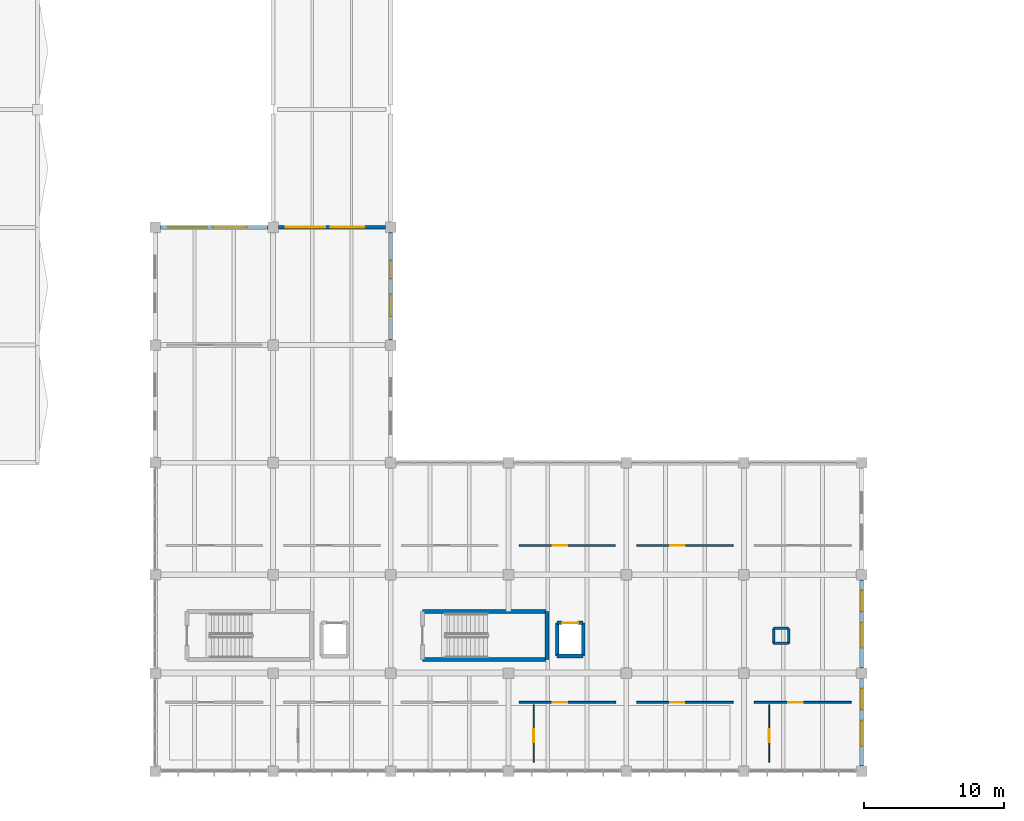
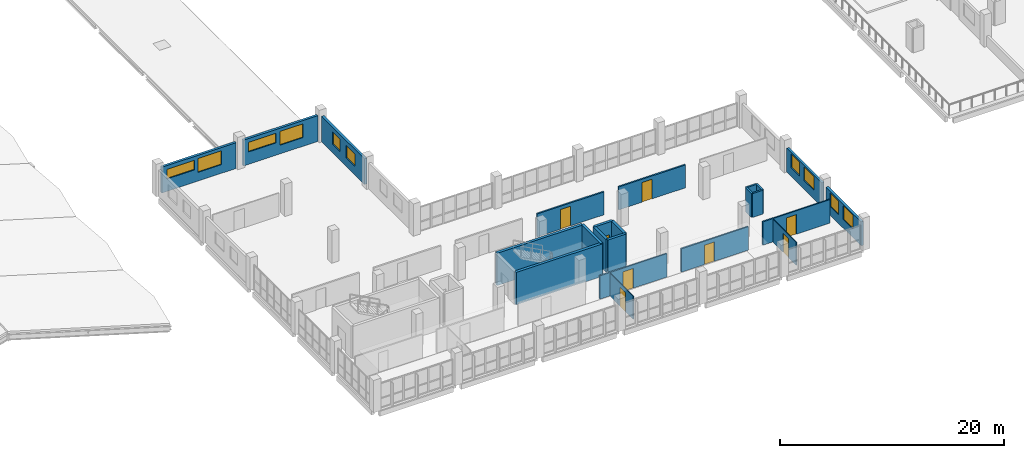
# One storey, part 80 of 95: 23 walls, 10 windows, 8 doors, 18 openings.
"""IFC4 building model written with IfcOpenShell, lengths in metres."""

from ifc_helpers import new_model, si_unit, direction, frame, frame_2d, origin, place, context, subcontext, project, spatial, rectangle, extrude, material, layer, layer_set, type_object, element, fill, save


model = new_model("IFC4")

# Units and contexts
model_context = context("Model", 3, precision=1e-05, world=origin(), true_north=direction((0.0, 1.0)))
body_context = subcontext(model_context, "Body", "Model", "MODEL_VIEW")
ifc_project = project(units=[si_unit("LENGTHUNIT", "METRE"), si_unit("AREAUNIT", "SQUARE_METRE"), si_unit("VOLUMEUNIT", "CUBIC_METRE"), si_unit("PLANEANGLEUNIT", "RADIAN"), si_unit("MASSUNIT", "GRAM", prefix="KILO"), si_unit("THERMODYNAMICTEMPERATUREUNIT", "KELVIN"), si_unit("POWERUNIT", "WATT")], contexts=[model_context])

# Site, building, storey
site_placement = place(None, origin())
site = spatial("IfcSite", under=ifc_project, at=site_placement, CompositionType="ELEMENT")
building_placement = place(site_placement, origin())
building = spatial("IfcBuilding", under=site, at=building_placement, Name="Mavoryth Pier Ferry Terminal", CompositionType="ELEMENT")
storey_placement = place(building_placement, frame((0.0, 0.0, 9.60009765625)))
storey = spatial("IfcBuildingStorey", under=building, at=storey_placement, Name="L02", CompositionType="ELEMENT", Elevation=9.60009765625)

# Walls
ifc_material_1 = material(Name="Concrete C35/45", Category="concrete")
ifc_layer_1 = layer(ifc_material_1, 0.260009765625, Name="Concrete C35/45", Category="concrete")
ifc_layer_set_1 = layer_set([ifc_layer_1], Name="Concrete C35/45 - CoreWall-LiftShaft-RC260")
wall_type_1 = type_object("IfcWallType", Name="CoreWall-LiftShaft-RC260", PredefinedType="SHEAR", material=ifc_layer_set_1)
wall_1_placement = place(storey_placement, frame((70.669921875, 8.219970703125, 0.0), z_axis=(0.0, 0.0, 1.0), x_axis=(1.0, 0.0, 0.0)))
element("IfcWall", 1, at=wall_1_placement, inside=storey, type_object=wall_type_1, Name="Interior Wall IW-L02-0273", PredefinedType="SHEAR", context=body_context, shape_type="SweptSolid", body=[
    extrude(rectangle(XDim=1.860107421875, YDim=0.260009765625, at=frame_2d((0.93017578125, 0.0))), origin(), (0.0, 0.0, 1.0), 3.52001953125),
])
for number, where, z_axis, x_axis, name in (
    (2, (72.530029296875, 8.219970703125, 0.0), (0.0, 0.0, 1.0), (0.0, 1.0, 0.0), "Interior Wall IW-L02-0274"),
    (3, (70.669921875, 10.580078125, 0.0), (0.0, 0.0, 1.0), (0.0, -1.0, 0.0), "Interior Wall IW-L02-0275"),
):
    element("IfcWall", number, at=place(storey_placement, frame(where, z_axis=z_axis, x_axis=x_axis)), inside=storey, type_object=wall_type_1, Name=name, PredefinedType="SHEAR", context=body_context, shape_type="SweptSolid", body=[
        extrude(rectangle(XDim=2.360107421875, YDim=0.260009765625, at=frame_2d((1.18017578125, 0.0))), origin(), (0.0, 0.0, 1.0), 3.52001953125),
    ])

# Wall, opening, door
wall_2_placement = place(storey_placement, frame((70.669921875, 10.580078125, 0.0), z_axis=(0.0, 0.0, 1.0), x_axis=(1.0, 0.0, 0.0)))
wall_2 = element("IfcWall", 4, at=wall_2_placement, inside=storey, type_object=wall_type_1, Name="Interior Wall IW-L02-0276", PredefinedType="SHEAR", context=body_context, shape_type="SweptSolid", body=[
    extrude(rectangle(XDim=1.860107421875, YDim=0.260009765625, at=frame_2d((0.93017578125, 0.0))), origin(), (0.0, 0.0, 1.0), 3.52001953125),
])
opening_1_placement = place(wall_2_placement, frame((0.360107421875, 0.0, 0.0)))
opening_1 = element("IfcOpeningElement", 5, at=opening_1_placement, cuts=wall_2, Name="Opening LD02", PredefinedType="OPENING", context=body_context, shape_type="SweptSolid", body=[
    extrude(rectangle(XDim=1.139892578125, YDim=2.139892578125, at=frame_2d((0.56982421875, 1.06982421875))), frame((0.0, 0.139892578125, 0.0), z_axis=(0.0, -1.0, 0.0), x_axis=(1.0, 0.0, 0.0)), (0.0, 0.0, 1.0), 0.280029296875),
])
ifc_material_2 = material(Name="Brushed Stainless Steel Lift Landing Door", Category="steel")
door_type_1 = type_object("IfcDoorType", Name="Door-LiftLanding-1140x2140", OperationType="NOTDEFINED", PredefinedType="DOOR", material=ifc_material_2)
door_1_placement = place(opening_1_placement, origin())
door_1 = element("IfcDoor", 6, at=door_1_placement, inside=storey, type_object=door_type_1, Name="Lift LF10 Landing Door L02", OperationType="DOUBLE_DOOR_SLIDING", OverallHeight=2.139892578125, OverallWidth=1.139892578125, PredefinedType="DOOR", context=body_context, shape_type="SweptSolid", body=[
    extrude(rectangle(XDim=1.139892578125, YDim=2.139892578125, at=frame_2d((0.56982421875, 1.06982421875))), frame((0.0, 0.02490234375, 0.0), z_axis=(0.0, -1.0, 0.0), x_axis=(1.0, 0.0, 0.0)), (0.0, 0.0, 1.0), 0.050048828125),
])
fill(opening_1, door_1)

# Walls
ifc_material_3 = material(Name="Concrete C40/50", Category="concrete")
ifc_layer_2 = layer(ifc_material_3, 0.280029296875, Name="Concrete C40/50", Category="concrete")
ifc_layer_set_2 = layer_set([ifc_layer_2], Name="Concrete C40/50 - CoreWall-Shear-RC280")
wall_type_2 = type_object("IfcWallType", Name="CoreWall-Shear-RC280", PredefinedType="SHEAR", material=ifc_layer_set_2)
for number, where, z_axis, x_axis, name in (
    (7, (61.06005859375, 7.9599609375, 0.0), (0.0, 0.0, 1.0), (1.0, 0.0, 0.0), "Interior Wall IW-L02-0253"),
    (8, (61.06005859375, 11.389892578125, 0.0), (0.0, 0.0, 1.0), (1.0, 0.0, 0.0), "Interior Wall IW-L02-0254"),
):
    element("IfcWall", number, at=place(storey_placement, frame(where, z_axis=z_axis, x_axis=x_axis)), inside=storey, type_object=wall_type_2, Name=name, PredefinedType="SHEAR", context=body_context, shape_type="SweptSolid", body=[
        extrude(rectangle(XDim=8.8798828125, YDim=0.280029296875, at=frame_2d((4.43994140625, 0.0))), origin(), (0.0, 0.0, 1.0), 3.52001953125),
    ])
wall_3_placement = place(storey_placement, frame((69.93994140625, 7.9599609375, 0.0), z_axis=(0.0, 0.0, 1.0), x_axis=(0.0, 1.0, 0.0)))
element("IfcWall", 9, at=wall_3_placement, inside=storey, type_object=wall_type_2, Name="Interior Wall IW-L02-0256", PredefinedType="SHEAR", context=body_context, shape_type="SweptSolid", body=[
    extrude(rectangle(XDim=3.429931640625, YDim=0.280029296875, at=frame_2d((1.71484375, 0.0))), origin(), (0.0, 0.0, 1.0), 3.52001953125),
])

# Wall, openings, windows
ifc_material_4 = material(Name="Insulated Pentelic Limestone-Faced Masonry", Category="masonry")
ifc_layer_3 = layer(ifc_material_4, 0.25, Name="Insulated Pentelic Limestone-Faced Masonry", Category="masonry")
ifc_layer_set_3 = layer_set([ifc_layer_3], Name="Insulated Pentelic Limestone-Faced Masonry - ExtWall-Facade-Masonry250")
wall_type_3 = type_object("IfcWallType", Name="ExtWall-Facade-Masonry250", PredefinedType="SOLIDWALL", material=ifc_layer_set_3)
wall_4_placement = place(storey_placement, frame((92.39990234375, 0.375, 0.0), z_axis=(0.0, 0.0, 1.0), x_axis=(0.0, 1.0, 0.0)))
wall_4 = element("IfcWall", 10, at=wall_4_placement, inside=storey, type_object=wall_type_3, Name="Exterior Wall EW-L02-166", PredefinedType="SOLIDWALL", context=body_context, shape_type="SweptSolid", body=[
    extrude(rectangle(XDim=6.25, YDim=0.25, at=frame_2d((3.125, 0.0))), origin(), (0.0, 0.0, 1.0), 2.60498046875),
])
opening_2_placement = place(wall_4_placement, frame((1.4150390625, 0.0, 0.949951171875)))
opening_2 = element("IfcOpeningElement", 11, at=opening_2_placement, cuts=wall_4, Name="Opening WN01", PredefinedType="OPENING", context=body_context, shape_type="SweptSolid", body=[
    extrude(rectangle(XDim=1.800048828125, YDim=1.5, at=frame_2d((0.89990234375, 0.75))), frame((0.0, 0.135009765625, 0.0), z_axis=(0.0, -1.0, 0.0), x_axis=(1.0, 0.0, 0.0)), (0.0, 0.0, 1.0), 0.27001953125),
])
opening_3_placement = place(wall_4_placement, frame((4.014892578125, 0.0, 0.949951171875)))
opening_3 = element("IfcOpeningElement", 12, at=opening_3_placement, cuts=wall_4, Name="Opening WN03", PredefinedType="OPENING", context=body_context, shape_type="SweptSolid", body=[
    extrude(rectangle(XDim=1.5, YDim=1.5, at=frame_2d((0.75, 0.75))), frame((0.0, 0.135009765625, 0.0), z_axis=(0.0, -1.0, 0.0), x_axis=(1.0, 0.0, 0.0)), (0.0, 0.0, 1.0), 0.27001953125),
])
ifc_material_5 = material(Name="Thermally Broken Aluminium and Low-E Double Glazing", Category="aluminium")
window_type_1 = type_object("IfcWindowType", Name="Win-Ops-1500x1500", PartitioningType="SINGLE_PANEL", PredefinedType="WINDOW", material=ifc_material_5)
window_1_placement = place(opening_3_placement, origin())
window_1 = element("IfcWindow", 13, at=window_1_placement, inside=storey, type_object=window_type_1, Name="Exterior Window 94", OverallHeight=1.5, OverallWidth=1.5, PartitioningType="SINGLE_PANEL", PredefinedType="WINDOW", context=body_context, shape_type="SweptSolid", body=[
    extrude(rectangle(XDim=1.5, YDim=1.5, at=frame_2d((0.75, 0.75))), frame((0.0, 0.030029296875, 0.0), z_axis=(0.0, -1.0, 0.0), x_axis=(1.0, 0.0, 0.0)), (0.0, 0.0, 1.0), 0.06005859375),
])
fill(opening_3, window_1)
window_type_2 = type_object("IfcWindowType", Name="Win-Ops-1800x1500", PartitioningType="DOUBLE_PANEL_VERTICAL", PredefinedType="WINDOW", material=ifc_material_5)
window_2_placement = place(opening_2_placement, origin())
window_2 = element("IfcWindow", 14, at=window_2_placement, inside=storey, type_object=window_type_2, Name="Exterior Window 93", OverallHeight=1.5, OverallWidth=1.800048828125, PartitioningType="DOUBLE_PANEL_VERTICAL", PredefinedType="WINDOW", context=body_context, shape_type="SweptSolid", body=[
    extrude(rectangle(XDim=1.800048828125, YDim=1.5, at=frame_2d((0.89990234375, 0.75))), frame((0.0, 0.030029296875, 0.0), z_axis=(0.0, -1.0, 0.0), x_axis=(1.0, 0.0, 0.0)), (0.0, 0.0, 1.0), 0.06005859375),
])
fill(opening_2, window_2)

wall_5_placement = place(storey_placement, frame((92.39990234375, 7.375, 0.0), z_axis=(0.0, 0.0, 1.0), x_axis=(0.0, 1.0, 0.0)))
wall_5 = element("IfcWall", 15, at=wall_5_placement, inside=storey, type_object=wall_type_3, Name="Exterior Wall EW-L02-167", PredefinedType="SOLIDWALL", context=body_context, shape_type="SweptSolid", body=[
    extrude(rectangle(XDim=6.25, YDim=0.25, at=frame_2d((3.125, 0.0))), origin(), (0.0, 0.0, 1.0), 2.60498046875),
])
opening_4_placement = place(wall_5_placement, frame((1.4150390625, 0.0, 0.949951171875)))
opening_4 = element("IfcOpeningElement", 16, at=opening_4_placement, cuts=wall_5, Name="Opening WN01", PredefinedType="OPENING", context=body_context, shape_type="SweptSolid", body=[
    extrude(rectangle(XDim=1.800048828125, YDim=1.5, at=frame_2d((0.89990234375, 0.75))), frame((0.0, 0.135009765625, 0.0), z_axis=(0.0, -1.0, 0.0), x_axis=(1.0, 0.0, 0.0)), (0.0, 0.0, 1.0), 0.27001953125),
])
opening_5_placement = place(wall_5_placement, frame((4.014892578125, 0.0, 0.949951171875)))
opening_5 = element("IfcOpeningElement", 17, at=opening_5_placement, cuts=wall_5, Name="Opening WN03", PredefinedType="OPENING", context=body_context, shape_type="SweptSolid", body=[
    extrude(rectangle(XDim=1.5, YDim=1.5, at=frame_2d((0.75, 0.75))), frame((0.0, 0.135009765625, 0.0), z_axis=(0.0, -1.0, 0.0), x_axis=(1.0, 0.0, 0.0)), (0.0, 0.0, 1.0), 0.27001953125),
])
window_3_placement = place(opening_5_placement, origin())
window_3 = element("IfcWindow", 18, at=window_3_placement, inside=storey, type_object=window_type_1, Name="Exterior Window 96", OverallHeight=1.5, OverallWidth=1.5, PartitioningType="SINGLE_PANEL", PredefinedType="WINDOW", context=body_context, shape_type="SweptSolid", body=[
    extrude(rectangle(XDim=1.5, YDim=1.5, at=frame_2d((0.75, 0.75))), frame((0.0, 0.030029296875, 0.0), z_axis=(0.0, -1.0, 0.0), x_axis=(1.0, 0.0, 0.0)), (0.0, 0.0, 1.0), 0.06005859375),
])
fill(opening_5, window_3)
window_4_placement = place(opening_4_placement, origin())
window_4 = element("IfcWindow", 19, at=window_4_placement, inside=storey, type_object=window_type_2, Name="Exterior Window 95", OverallHeight=1.5, OverallWidth=1.800048828125, PartitioningType="DOUBLE_PANEL_VERTICAL", PredefinedType="WINDOW", context=body_context, shape_type="SweptSolid", body=[
    extrude(rectangle(XDim=1.800048828125, YDim=1.5, at=frame_2d((0.89990234375, 0.75))), frame((0.0, 0.030029296875, 0.0), z_axis=(0.0, -1.0, 0.0), x_axis=(1.0, 0.0, 0.0)), (0.0, 0.0, 1.0), 0.06005859375),
])
fill(opening_4, window_4)

wall_6_placement = place(storey_placement, frame((58.800048828125, 30.77490234375, 0.0), z_axis=(0.0, 0.0, 1.0), x_axis=(0.0, 1.0, 0.0)))
wall_6 = element("IfcWall", 20, at=wall_6_placement, inside=storey, type_object=wall_type_3, Name="Exterior Wall EW-L02-172", PredefinedType="SOLIDWALL", context=body_context, shape_type="SweptSolid", body=[
    extrude(rectangle(XDim=7.650146484375, YDim=0.25, at=frame_2d((3.8251953125, 0.0))), origin(), (0.0, 0.0, 1.0), 2.804931640625),
])
opening_6_placement = place(wall_6_placement, frame((1.6650390625, 0.0, 0.949951171875)))
opening_6 = element("IfcOpeningElement", 21, at=opening_6_placement, cuts=wall_6, Name="Opening WN05", PredefinedType="OPENING", context=body_context, shape_type="SweptSolid", body=[
    extrude(rectangle(XDim=1.60009765625, YDim=1.35009765625, at=frame_2d((0.800048828125, 0.675048828125))), frame((0.0, 0.135009765625, 0.0), z_axis=(0.0, -1.0, 0.0), x_axis=(1.0, 0.0, 0.0)), (0.0, 0.0, 1.0), 0.27001953125),
])
opening_7_placement = place(wall_6_placement, frame((4.364990234375, 0.0, 0.949951171875)))
opening_7 = element("IfcOpeningElement", 22, at=opening_7_placement, cuts=wall_6, Name="Opening WN06", PredefinedType="OPENING", context=body_context, shape_type="SweptSolid", body=[
    extrude(rectangle(XDim=1.300048828125, YDim=1.35009765625, at=frame_2d((0.64990234375, 0.675048828125))), frame((0.0, 0.135009765625, 0.0), z_axis=(0.0, -1.0, 0.0), x_axis=(1.0, 0.0, 0.0)), (0.0, 0.0, 1.0), 0.27001953125),
])
window_type_3 = type_object("IfcWindowType", Name="Win-Clinic-1300x1350", PartitioningType="SINGLE_PANEL", PredefinedType="WINDOW", material=ifc_material_5)
window_5_placement = place(opening_7_placement, origin())
window_5 = element("IfcWindow", 23, at=window_5_placement, inside=storey, type_object=window_type_3, Name="Exterior Window 106", OverallHeight=1.35009765625, OverallWidth=1.300048828125, PartitioningType="SINGLE_PANEL", PredefinedType="WINDOW", context=body_context, shape_type="SweptSolid", body=[
    extrude(rectangle(XDim=1.300048828125, YDim=1.35009765625, at=frame_2d((0.64990234375, 0.675048828125))), frame((0.0, 0.030029296875, 0.0), z_axis=(0.0, -1.0, 0.0), x_axis=(1.0, 0.0, 0.0)), (0.0, 0.0, 1.0), 0.06005859375),
])
fill(opening_7, window_5)
window_type_4 = type_object("IfcWindowType", Name="Win-Clinic-1600x1350", PartitioningType="DOUBLE_PANEL_VERTICAL", PredefinedType="WINDOW", material=ifc_material_5)
window_6_placement = place(opening_6_placement, origin())
window_6 = element("IfcWindow", 24, at=window_6_placement, inside=storey, type_object=window_type_4, Name="Exterior Window 105", OverallHeight=1.35009765625, OverallWidth=1.60009765625, PartitioningType="DOUBLE_PANEL_VERTICAL", PredefinedType="WINDOW", context=body_context, shape_type="SweptSolid", body=[
    extrude(rectangle(XDim=1.60009765625, YDim=1.35009765625, at=frame_2d((0.800048828125, 0.675048828125))), frame((0.0, 0.030029296875, 0.0), z_axis=(0.0, -1.0, 0.0), x_axis=(1.0, 0.0, 0.0)), (0.0, 0.0, 1.0), 0.06005859375),
])
fill(opening_6, window_6)

wall_7_placement = place(storey_placement, frame((50.02490234375, 38.800048828125, 0.0), z_axis=(0.0, 0.0, 1.0), x_axis=(-1.0, 0.0, 0.0)))
wall_7 = element("IfcWall", 25, at=wall_7_placement, inside=storey, type_object=wall_type_3, Name="Exterior Wall EW-L02-173", PredefinedType="SOLIDWALL", context=body_context, shape_type="SweptSolid", body=[
    extrude(rectangle(XDim=7.64990234375, YDim=0.25, at=frame_2d((3.824951171875, 0.0))), origin(), (0.0, 0.0, 1.0), 2.804931640625),
])
opening_8_placement = place(wall_7_placement, frame((1.514892578125, 0.0, 0.949951171875)))
opening_8 = element("IfcOpeningElement", 26, at=opening_8_placement, cuts=wall_7, Name="Opening WN02", PredefinedType="OPENING", context=body_context, shape_type="SweptSolid", body=[
    extrude(rectangle(XDim=2.39990234375, YDim=1.5, at=frame_2d((1.199951171875, 0.75))), frame((0.0, 0.135009765625, 0.0), z_axis=(0.0, -1.0, 0.0), x_axis=(1.0, 0.0, 0.0)), (0.0, 0.0, 1.0), 0.27001953125),
])
opening_9_placement = place(wall_7_placement, frame((4.31494140625, 0.0, 1.35009765625)))
opening_9 = element("IfcOpeningElement", 27, at=opening_9_placement, cuts=wall_7, Name="Opening WN15", PredefinedType="OPENING", context=body_context, shape_type="SweptSolid", body=[
    extrude(rectangle(XDim=2.800048828125, YDim=1.050048828125, at=frame_2d((1.39990234375, 0.52490234375))), frame((0.0, 0.135009765625, 0.0), z_axis=(0.0, -1.0, 0.0), x_axis=(1.0, 0.0, 0.0)), (0.0, 0.0, 1.0), 0.27001953125),
])
window_type_5 = type_object("IfcWindowType", Name="Win-Clerestory-2800x1050", PartitioningType="TRIPLE_PANEL_VERTICAL", PredefinedType="WINDOW", material=ifc_material_5)
window_7_placement = place(opening_9_placement, origin())
window_7 = element("IfcWindow", 28, at=window_7_placement, inside=storey, type_object=window_type_5, Name="Exterior Window 108", OverallHeight=1.050048828125, OverallWidth=2.800048828125, PartitioningType="TRIPLE_PANEL_VERTICAL", PredefinedType="WINDOW", context=body_context, shape_type="SweptSolid", body=[
    extrude(rectangle(XDim=2.800048828125, YDim=1.050048828125, at=frame_2d((1.39990234375, 0.52490234375))), frame((0.0, 0.030029296875, 0.0), z_axis=(0.0, -1.0, 0.0), x_axis=(1.0, 0.0, 0.0)), (0.0, 0.0, 1.0), 0.06005859375),
])
fill(opening_9, window_7)
window_type_6 = type_object("IfcWindowType", Name="Win-Ops-2400x1500", PartitioningType="TRIPLE_PANEL_VERTICAL", PredefinedType="WINDOW", material=ifc_material_5)
window_8_placement = place(opening_8_placement, origin())
window_8 = element("IfcWindow", 29, at=window_8_placement, inside=storey, type_object=window_type_6, Name="Exterior Window 107", OverallHeight=1.5, OverallWidth=2.39990234375, PartitioningType="TRIPLE_PANEL_VERTICAL", PredefinedType="WINDOW", context=body_context, shape_type="SweptSolid", body=[
    extrude(rectangle(XDim=2.39990234375, YDim=1.5, at=frame_2d((1.199951171875, 0.75))), frame((0.0, 0.030029296875, 0.0), z_axis=(0.0, -1.0, 0.0), x_axis=(1.0, 0.0, 0.0)), (0.0, 0.0, 1.0), 0.06005859375),
])
fill(opening_8, window_8)

wall_8_placement = place(storey_placement, frame((58.425048828125, 38.800048828125, 0.0), z_axis=(0.0, 0.0, 1.0), x_axis=(-1.0, 0.0, 0.0)))
wall_8 = element("IfcWall", 30, at=wall_8_placement, inside=storey, type_object=wall_type_3, Name="Exterior Wall EW-L02-174", PredefinedType="SOLIDWALL", context=body_context, shape_type="SweptSolid", body=[
    extrude(rectangle(XDim=7.650146484375, YDim=0.25, at=frame_2d((3.8251953125, 0.0))), origin(), (0.0, 0.0, 1.0), 2.804931640625),
])
opening_10_placement = place(wall_8_placement, frame((1.514892578125, 0.0, 0.949951171875)))
opening_10 = element("IfcOpeningElement", 31, at=opening_10_placement, cuts=wall_8, Name="Opening WN02", PredefinedType="OPENING", context=body_context, shape_type="SweptSolid", body=[
    extrude(rectangle(XDim=2.39990234375, YDim=1.5, at=frame_2d((1.199951171875, 0.75))), frame((0.0, 0.135009765625, 0.0), z_axis=(0.0, -1.0, 0.0), x_axis=(1.0, 0.0, 0.0)), (0.0, 0.0, 1.0), 0.27001953125),
])
opening_11_placement = place(wall_8_placement, frame((4.31494140625, 0.0, 1.35009765625)))
opening_11 = element("IfcOpeningElement", 32, at=opening_11_placement, cuts=wall_8, Name="Opening WN15", PredefinedType="OPENING", context=body_context, shape_type="SweptSolid", body=[
    extrude(rectangle(XDim=2.800048828125, YDim=1.050048828125, at=frame_2d((1.39990234375, 0.52490234375))), frame((0.0, 0.135009765625, 0.0), z_axis=(0.0, -1.0, 0.0), x_axis=(1.0, 0.0, 0.0)), (0.0, 0.0, 1.0), 0.27001953125),
])
window_9_placement = place(opening_11_placement, origin())
window_9 = element("IfcWindow", 33, at=window_9_placement, inside=storey, type_object=window_type_5, Name="Exterior Window 110", OverallHeight=1.050048828125, OverallWidth=2.800048828125, PartitioningType="TRIPLE_PANEL_VERTICAL", PredefinedType="WINDOW", context=body_context, shape_type="SweptSolid", body=[
    extrude(rectangle(XDim=2.800048828125, YDim=1.050048828125, at=frame_2d((1.39990234375, 0.52490234375))), frame((0.0, 0.030029296875, 0.0), z_axis=(0.0, -1.0, 0.0), x_axis=(1.0, 0.0, 0.0)), (0.0, 0.0, 1.0), 0.06005859375),
])
fill(opening_11, window_9)
window_10_placement = place(opening_10_placement, origin())
window_10 = element("IfcWindow", 34, at=window_10_placement, inside=storey, type_object=window_type_6, Name="Exterior Window 109", OverallHeight=1.5, OverallWidth=2.39990234375, PartitioningType="TRIPLE_PANEL_VERTICAL", PredefinedType="WINDOW", context=body_context, shape_type="SweptSolid", body=[
    extrude(rectangle(XDim=2.39990234375, YDim=1.5, at=frame_2d((1.199951171875, 0.75))), frame((0.0, 0.030029296875, 0.0), z_axis=(0.0, -1.0, 0.0), x_axis=(1.0, 0.0, 0.0)), (0.0, 0.0, 1.0), 0.06005859375),
])
fill(opening_10, window_10)

# Walls
ifc_material_6 = material(Name="Autoclaved Aerated Concrete Blockwork", Category="masonry")
ifc_layer_4 = layer(ifc_material_6, 0.179931640625, Name="Autoclaved Aerated Concrete Blockwork", Category="masonry")
ifc_layer_set_4 = layer_set([ifc_layer_4], Name="Autoclaved Aerated Concrete Blockwork - IntWall-PlantRated-180")
wall_type_4 = type_object("IfcWallType", Name="IntWall-PlantRated-180", PredefinedType="SOLIDWALL", material=ifc_layer_set_4)
for number, where, z_axis, x_axis, name in (
    (35, (86.110107421875, 9.110107421875, 0.0), (0.0, 0.0, 1.0), (1.0, 0.0, 0.0), "Interior Wall IW-L02-0409"),
    (36, (87.18994140625, 9.110107421875, 0.0), (0.0, 0.0, 1.0), (0.0, 1.0, 0.0), "Interior Wall IW-L02-0410"),
    (37, (87.18994140625, 10.18994140625, 0.0), (0.0, 0.0, 1.0), (-1.0, 0.0, 0.0), "Interior Wall IW-L02-0411"),
    (38, (86.110107421875, 10.18994140625, 0.0), (0.0, 0.0, 1.0), (0.0, -1.0, 0.0), "Interior Wall IW-L02-0412"),
):
    element("IfcWall", number, at=place(storey_placement, frame(where, z_axis=z_axis, x_axis=x_axis)), inside=storey, type_object=wall_type_4, Name=name, PredefinedType="SOLIDWALL", context=body_context, shape_type="SweptSolid", body=[
        extrude(rectangle(XDim=1.079833984375, YDim=0.179931640625, at=frame_2d((0.5400390625, 0.0))), origin(), (0.0, 0.0, 1.0), 2.599853515625),
    ])

# Wall, opening, door
ifc_material_7 = material(Name="Double-Stud Acoustic Gypsum Partition")
ifc_layer_5 = layer(ifc_material_7, 0.159912109375, Name="Double-Stud Acoustic Gypsum Partition")
ifc_layer_set_5 = layer_set([ifc_layer_5], Name="Double-Stud Acoustic Gypsum Partition - Part-Acoustic-160")
wall_type_5 = type_object("IfcWallType", Name="Part-Acoustic-160", PredefinedType="PARTITIONING", material=ifc_layer_set_5)
wall_9_placement = place(storey_placement, frame((67.949951171875, 16.10009765625, 0.0), z_axis=(0.0, 0.0, 1.0), x_axis=(1.0, 0.0, 0.0)))
wall_9 = element("IfcWall", 39, at=wall_9_placement, inside=storey, type_object=wall_type_5, Name="Interior Wall IW-L02-0477", PredefinedType="PARTITIONING", context=body_context, shape_type="SweptSolid", body=[
    extrude(rectangle(XDim=6.900146484375, YDim=0.159912109375, at=frame_2d((3.4501953125, 0.0))), origin(), (0.0, 0.0, 1.0), 2.5),
])
opening_12_placement = place(wall_9_placement, frame((2.39990234375, 0.0, 0.0)))
opening_12 = element("IfcOpeningElement", 40, at=opening_12_placement, cuts=wall_9, Name="Opening ID08-146", PredefinedType="OPENING", context=body_context, shape_type="SweptSolid", body=[
    extrude(rectangle(XDim=1.0400390625, YDim=2.139892578125, at=frame_2d((0.52001953125, 1.06982421875))), frame((0.0, 0.08984375, 0.0), z_axis=(0.0, -1.0, 0.0), x_axis=(1.0, 0.0, 0.0)), (0.0, 0.0, 1.0), 0.179931640625),
])
ifc_material_8 = material(Name="Solid-Core Oak Veneer Timber Door", Category="wood")
door_type_2 = type_object("IfcDoorType", Name="Door-RoomSingle-1040x2140", OperationType="NOTDEFINED", PredefinedType="DOOR", material=ifc_material_8)
door_2_placement = place(opening_12_placement, origin())
door_2 = element("IfcDoor", 41, at=door_2_placement, inside=storey, type_object=door_type_2, Name="Interior Door ID08-146", OperationType="SINGLE_SWING_LEFT", OverallHeight=2.139892578125, OverallWidth=1.0400390625, PredefinedType="DOOR", context=body_context, shape_type="SweptSolid", body=[
    extrude(rectangle(XDim=1.0400390625, YDim=2.139892578125, at=frame_2d((0.52001953125, 1.06982421875))), frame((0.0, 0.02490234375, 0.0), z_axis=(0.0, -1.0, 0.0), x_axis=(1.0, 0.0, 0.0)), (0.0, 0.0, 1.0), 0.050048828125),
])
fill(opening_12, door_2)

wall_10_placement = place(storey_placement, frame((76.35009765625, 16.10009765625, 0.0), z_axis=(0.0, 0.0, 1.0), x_axis=(1.0, 0.0, 0.0)))
wall_10 = element("IfcWall", 42, at=wall_10_placement, inside=storey, type_object=wall_type_5, Name="Interior Wall IW-L02-0479", PredefinedType="PARTITIONING", context=body_context, shape_type="SweptSolid", body=[
    extrude(rectangle(XDim=6.89990234375, YDim=0.159912109375, at=frame_2d((3.449951171875, 0.0))), origin(), (0.0, 0.0, 1.0), 2.5),
])
opening_13_placement = place(wall_10_placement, frame((2.39990234375, 0.0, 0.0)))
opening_13 = element("IfcOpeningElement", 43, at=opening_13_placement, cuts=wall_10, Name="Opening ID08-148", PredefinedType="OPENING", context=body_context, shape_type="SweptSolid", body=[
    extrude(rectangle(XDim=1.0400390625, YDim=2.139892578125, at=frame_2d((0.52001953125, 1.06982421875))), frame((0.0, 0.08984375, 0.0), z_axis=(0.0, -1.0, 0.0), x_axis=(1.0, 0.0, 0.0)), (0.0, 0.0, 1.0), 0.179931640625),
])
door_3_placement = place(opening_13_placement, origin())
door_3 = element("IfcDoor", 44, at=door_3_placement, inside=storey, type_object=door_type_2, Name="Interior Door ID08-148", OperationType="SINGLE_SWING_LEFT", OverallHeight=2.139892578125, OverallWidth=1.0400390625, PredefinedType="DOOR", context=body_context, shape_type="SweptSolid", body=[
    extrude(rectangle(XDim=1.0400390625, YDim=2.139892578125, at=frame_2d((0.52001953125, 1.06982421875))), frame((0.0, 0.02490234375, 0.0), z_axis=(0.0, -1.0, 0.0), x_axis=(1.0, 0.0, 0.0)), (0.0, 0.0, 1.0), 0.050048828125),
])
fill(opening_13, door_3)

ifc_material_9 = material(Name="Fire-Rated Gypsum Stud Partition")
ifc_layer_6 = layer(ifc_material_9, 0.139892578125, Name="Fire-Rated Gypsum Stud Partition")
ifc_layer_set_6 = layer_set([ifc_layer_6], Name="Fire-Rated Gypsum Stud Partition - Part-Corridor-140")
wall_type_6 = type_object("IfcWallType", Name="Part-Corridor-140", PredefinedType="PARTITIONING", material=ifc_layer_set_6)
wall_11_placement = place(storey_placement, frame((67.949951171875, 4.89990234375, 0.0), z_axis=(0.0, 0.0, 1.0), x_axis=(1.0, 0.0, 0.0)))
wall_11 = element("IfcWall", 45, at=wall_11_placement, inside=storey, type_object=wall_type_6, Name="Interior Wall IW-L02-0475", PredefinedType="PARTITIONING", context=body_context, shape_type="SweptSolid", body=[
    extrude(rectangle(XDim=6.900146484375, YDim=0.139892578125, at=frame_2d((3.4501953125, 0.0))), origin(), (0.0, 0.0, 1.0), 2.5498046875),
])
opening_14_placement = place(wall_11_placement, frame((2.39990234375, 0.0, 0.0)))
opening_14 = element("IfcOpeningElement", 46, at=opening_14_placement, cuts=wall_11, Name="Opening ID08-144", PredefinedType="OPENING", context=body_context, shape_type="SweptSolid", body=[
    extrude(rectangle(XDim=1.0400390625, YDim=2.139892578125, at=frame_2d((0.52001953125, 1.06982421875))), frame((0.0, 0.079833984375, 0.0), z_axis=(0.0, -1.0, 0.0), x_axis=(1.0, 0.0, 0.0)), (0.0, 0.0, 1.0), 0.159912109375),
])
door_4_placement = place(opening_14_placement, origin())
door_4 = element("IfcDoor", 47, at=door_4_placement, inside=storey, type_object=door_type_2, Name="Interior Door ID08-144", OperationType="SINGLE_SWING_LEFT", OverallHeight=2.139892578125, OverallWidth=1.0400390625, PredefinedType="DOOR", context=body_context, shape_type="SweptSolid", body=[
    extrude(rectangle(XDim=1.0400390625, YDim=2.139892578125, at=frame_2d((0.52001953125, 1.06982421875))), frame((0.0, 0.02490234375, 0.0), z_axis=(0.0, -1.0, 0.0), x_axis=(1.0, 0.0, 0.0)), (0.0, 0.0, 1.0), 0.050048828125),
])
fill(opening_14, door_4)

wall_12_placement = place(storey_placement, frame((76.35009765625, 4.89990234375, 0.0), z_axis=(0.0, 0.0, 1.0), x_axis=(1.0, 0.0, 0.0)))
wall_12 = element("IfcWall", 48, at=wall_12_placement, inside=storey, type_object=wall_type_6, Name="Interior Wall IW-L02-0478", PredefinedType="PARTITIONING", context=body_context, shape_type="SweptSolid", body=[
    extrude(rectangle(XDim=6.89990234375, YDim=0.139892578125, at=frame_2d((3.449951171875, 0.0))), origin(), (0.0, 0.0, 1.0), 2.5498046875),
])
opening_15_placement = place(wall_12_placement, frame((2.39990234375, 0.0, 0.0)))
opening_15 = element("IfcOpeningElement", 49, at=opening_15_placement, cuts=wall_12, Name="Opening ID09-147", PredefinedType="OPENING", context=body_context, shape_type="SweptSolid", body=[
    extrude(rectangle(XDim=0.97998046875, YDim=2.1201171875, at=frame_2d((0.489990234375, 1.06005859375))), frame((0.0, 0.079833984375, 0.0), z_axis=(0.0, -1.0, 0.0), x_axis=(1.0, 0.0, 0.0)), (0.0, 0.0, 1.0), 0.159912109375),
])
door_type_3 = type_object("IfcDoorType", Name="Door-RoomSingle-980x2120", OperationType="NOTDEFINED", PredefinedType="DOOR", material=ifc_material_8)
door_5_placement = place(opening_15_placement, origin())
door_5 = element("IfcDoor", 50, at=door_5_placement, inside=storey, type_object=door_type_3, Name="Interior Door ID09-147", OperationType="SINGLE_SWING_RIGHT", OverallHeight=2.1201171875, OverallWidth=0.97998046875, PredefinedType="DOOR", context=body_context, shape_type="SweptSolid", body=[
    extrude(rectangle(XDim=0.97998046875, YDim=2.1201171875, at=frame_2d((0.489990234375, 1.06005859375))), frame((0.0, 0.02490234375, 0.0), z_axis=(0.0, -1.0, 0.0), x_axis=(1.0, 0.0, 0.0)), (0.0, 0.0, 1.0), 0.050048828125),
])
fill(opening_15, door_5)

wall_13_placement = place(storey_placement, frame((84.75, 4.89990234375, 0.0), z_axis=(0.0, 0.0, 1.0), x_axis=(1.0, 0.0, 0.0)))
wall_13 = element("IfcWall", 51, at=wall_13_placement, inside=storey, type_object=wall_type_6, Name="Interior Wall IW-L02-0480", PredefinedType="PARTITIONING", context=body_context, shape_type="SweptSolid", body=[
    extrude(rectangle(XDim=6.89990234375, YDim=0.139892578125, at=frame_2d((3.449951171875, 0.0))), origin(), (0.0, 0.0, 1.0), 2.5498046875),
])
opening_16_placement = place(wall_13_placement, frame((2.39990234375, 0.0, 0.0)))
opening_16 = element("IfcOpeningElement", 52, at=opening_16_placement, cuts=wall_13, Name="Opening ID08-149", PredefinedType="OPENING", context=body_context, shape_type="SweptSolid", body=[
    extrude(rectangle(XDim=1.0400390625, YDim=2.139892578125, at=frame_2d((0.52001953125, 1.06982421875))), frame((0.0, 0.079833984375, 0.0), z_axis=(0.0, -1.0, 0.0), x_axis=(1.0, 0.0, 0.0)), (0.0, 0.0, 1.0), 0.159912109375),
])
door_6_placement = place(opening_16_placement, origin())
door_6 = element("IfcDoor", 53, at=door_6_placement, inside=storey, type_object=door_type_2, Name="Interior Door ID08-149", OperationType="SINGLE_SWING_RIGHT", OverallHeight=2.139892578125, OverallWidth=1.0400390625, PredefinedType="DOOR", context=body_context, shape_type="SweptSolid", body=[
    extrude(rectangle(XDim=1.0400390625, YDim=2.139892578125, at=frame_2d((0.52001953125, 1.06982421875))), frame((0.0, 0.02490234375, 0.0), z_axis=(0.0, -1.0, 0.0), x_axis=(1.0, 0.0, 0.0)), (0.0, 0.0, 1.0), 0.050048828125),
])
fill(opening_16, door_6)

ifc_material_10 = material(Name="Lightweight Glazed Acoustic Partition")
ifc_layer_7 = layer(ifc_material_10, 0.080078125, Name="Lightweight Glazed Acoustic Partition")
ifc_layer_set_7 = layer_set([ifc_layer_7], Name="Lightweight Glazed Acoustic Partition - Part-Office-080")
wall_type_7 = type_object("IfcWallType", Name="Part-Office-080", PredefinedType="PARTITIONING", material=ifc_layer_set_7)
wall_14_placement = place(storey_placement, frame((69.0, 0.64990234375, 0.0), z_axis=(0.0, 0.0, 1.0), x_axis=(0.0, 1.0, 0.0)))
wall_14 = element("IfcWall", 54, at=wall_14_placement, inside=storey, type_object=wall_type_7, Name="Interior Wall IW-L02-0476", PredefinedType="PARTITIONING", context=body_context, shape_type="SweptSolid", body=[
    extrude(rectangle(XDim=4.10009765625, YDim=0.080078125, at=frame_2d((2.050048828125, 0.0))), origin(), (0.0, 0.0, 1.0), 2.5),
])
opening_17_placement = place(wall_14_placement, frame((1.39990234375, 0.0, 0.0)))
opening_17 = element("IfcOpeningElement", 55, at=opening_17_placement, cuts=wall_14, Name="Opening ID10-145", PredefinedType="OPENING", context=body_context, shape_type="SweptSolid", body=[
    extrude(rectangle(XDim=0.93994140625, YDim=2.080078125, at=frame_2d((0.469970703125, 1.0400390625))), frame((0.0, 0.050048828125, 0.0), z_axis=(0.0, -1.0, 0.0), x_axis=(1.0, 0.0, 0.0)), (0.0, 0.0, 1.0), 0.10009765625),
])
door_type_4 = type_object("IfcDoorType", Name="Door-RoomSingle-940x2080", OperationType="NOTDEFINED", PredefinedType="DOOR", material=ifc_material_8)
door_7_placement = place(opening_17_placement, origin())
door_7 = element("IfcDoor", 56, at=door_7_placement, inside=storey, type_object=door_type_4, Name="Interior Door ID10-145", OperationType="SINGLE_SWING_RIGHT", OverallHeight=2.080078125, OverallWidth=0.93994140625, PredefinedType="DOOR", context=body_context, shape_type="SweptSolid", body=[
    extrude(rectangle(XDim=0.93994140625, YDim=2.080078125, at=frame_2d((0.469970703125, 1.0400390625))), frame((0.0, 0.02490234375, 0.0), z_axis=(0.0, -1.0, 0.0), x_axis=(1.0, 0.0, 0.0)), (0.0, 0.0, 1.0), 0.050048828125),
])
fill(opening_17, door_7)

wall_15_placement = place(storey_placement, frame((85.800048828125, 0.64990234375, 0.0), z_axis=(0.0, 0.0, 1.0), x_axis=(0.0, 1.0, 0.0)))
wall_15 = element("IfcWall", 57, at=wall_15_placement, inside=storey, type_object=wall_type_7, Name="Interior Wall IW-L02-0481", PredefinedType="PARTITIONING", context=body_context, shape_type="SweptSolid", body=[
    extrude(rectangle(XDim=4.10009765625, YDim=0.080078125, at=frame_2d((2.050048828125, 0.0))), origin(), (0.0, 0.0, 1.0), 2.5),
])
opening_18_placement = place(wall_15_placement, frame((1.39990234375, 0.0, 0.0)))
opening_18 = element("IfcOpeningElement", 58, at=opening_18_placement, cuts=wall_15, Name="Opening ID10-150", PredefinedType="OPENING", context=body_context, shape_type="SweptSolid", body=[
    extrude(rectangle(XDim=0.93994140625, YDim=2.080078125, at=frame_2d((0.469970703125, 1.0400390625))), frame((0.0, 0.050048828125, 0.0), z_axis=(0.0, -1.0, 0.0), x_axis=(1.0, 0.0, 0.0)), (0.0, 0.0, 1.0), 0.10009765625),
])
door_8_placement = place(opening_18_placement, origin())
door_8 = element("IfcDoor", 59, at=door_8_placement, inside=storey, type_object=door_type_4, Name="Interior Door ID10-150", OperationType="SINGLE_SWING_LEFT", OverallHeight=2.080078125, OverallWidth=0.93994140625, PredefinedType="DOOR", context=body_context, shape_type="SweptSolid", body=[
    extrude(rectangle(XDim=0.93994140625, YDim=2.080078125, at=frame_2d((0.469970703125, 1.0400390625))), frame((0.0, 0.02490234375, 0.0), z_axis=(0.0, -1.0, 0.0), x_axis=(1.0, 0.0, 0.0)), (0.0, 0.0, 1.0), 0.050048828125),
])
fill(opening_18, door_8)

save(model, "model.ifc")
